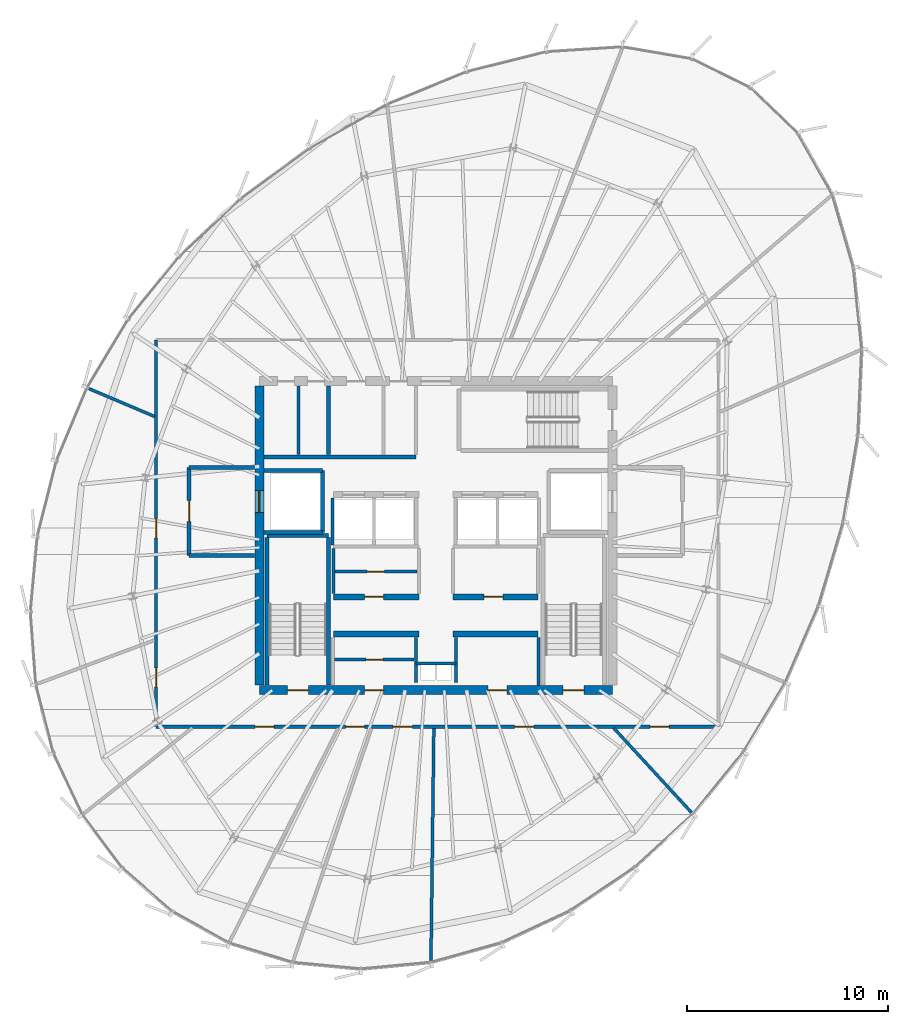
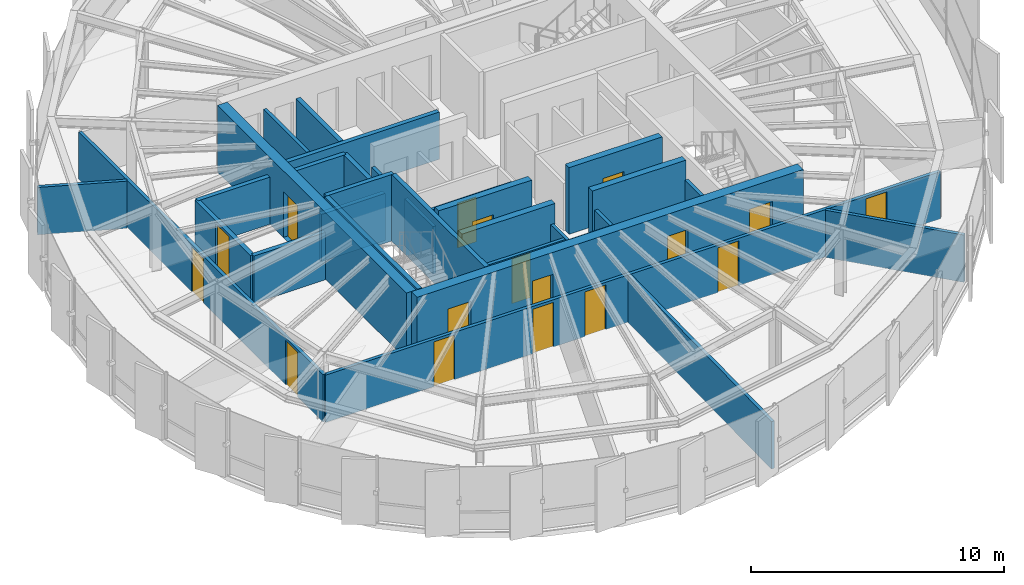
# One storey, part 27 of 33: 31 walls, 17 doors, 17 openings.
"""IFC4 building model written with IfcOpenShell, lengths in metres."""

from ifc_helpers import new_model, si_unit, direction, frame, frame_2d, origin, place, context, subcontext, project, spatial, rectangle, extrude, source, transform, mapped, material, layer, layer_set, type_object, element, fill, save


model = new_model("IFC4")

# Units and contexts
model_context = context("Model", 3, precision=1e-05, world=origin(), true_north=direction((0.0, 1.0)))
body_context = subcontext(model_context, "Body", "Model", "MODEL_VIEW")
ifc_project = project(units=[si_unit("LENGTHUNIT", "METRE"), si_unit("AREAUNIT", "SQUARE_METRE"), si_unit("VOLUMEUNIT", "CUBIC_METRE"), si_unit("PLANEANGLEUNIT", "RADIAN"), si_unit("MASSUNIT", "GRAM", prefix="KILO"), si_unit("THERMODYNAMICTEMPERATUREUNIT", "KELVIN")], contexts=[model_context])

# Site, building, storey
site_placement = place(None, origin())
site = spatial("IfcSite", under=ifc_project, at=site_placement, CompositionType="ELEMENT")
building_placement = place(site_placement, origin())
building = spatial("IfcBuilding", under=site, at=building_placement, Name="Kethvar Cultural Tower", CompositionType="ELEMENT")
storey_placement = place(building_placement, frame((0.0, 0.0, 256.0)))
storey = spatial("IfcBuildingStorey", under=building, at=storey_placement, Name="L67", CompositionType="ELEMENT", Elevation=256.0)

# Wall, openings, doors
ifc_material_1 = material(Name="Concrete C50/60", Category="concrete")
ifc_layer_1 = layer(ifc_material_1, 0.449951171875, Name="Concrete C50/60", Category="concrete")
ifc_layer_set_1 = layer_set([ifc_layer_1], Name="Concrete C50/60 (450 mm)")
wall_type_1 = type_object("IfcWallType", Name="WL-CORE-450", PredefinedType="SHEAR", material=ifc_layer_set_1)
wall_1_placement = place(storey_placement, frame((38.0, 20.10009765625, 0.0), z_axis=(0.0, 0.0, 1.0), x_axis=(1.0, 0.0, 0.0)))
wall_1 = element("IfcWall", 1, at=wall_1_placement, inside=storey, type_object=wall_type_1, Name="L67 Core Shear Wall S", PredefinedType="SHEAR", context=body_context, shape_type="SweptSolid", body=[
    extrude(rectangle(XDim=17.60009765625, YDim=0.449951171875, at=frame_2d((8.800048828125, 0.0))), origin(), (0.0, 0.0, 1.0), 3.2099609375),
])
opening_1_placement = place(wall_1_placement, frame((1.39990234375, 0.0, 0.0)))
opening_1 = element("IfcOpeningElement", 2, at=opening_1_placement, cuts=wall_1, Name="Opening D-L67-S1", PredefinedType="OPENING", context=body_context, shape_type="SweptSolid", body=[
    extrude(rectangle(XDim=1.050048828125, YDim=2.14990234375, at=frame_2d((0.52490234375, 1.074951171875))), frame((0.0, 0.23486328125, 0.0), z_axis=(0.0, -1.0, 0.0), x_axis=(1.0, 0.0, 0.0)), (0.0, 0.0, 1.0), 0.469970703125),
])
opening_2_placement = place(wall_1_placement, frame((15.14990234375, 0.0, 0.0)))
opening_2 = element("IfcOpeningElement", 3, at=opening_2_placement, cuts=wall_1, Name="Opening D-L67-ST2", PredefinedType="OPENING", context=body_context, shape_type="SweptSolid", body=[
    extrude(rectangle(XDim=1.050048828125, YDim=2.14990234375, at=frame_2d((0.52490234375, 1.074951171875))), frame((0.0, 0.23486328125, 0.0), z_axis=(0.0, -1.0, 0.0), x_axis=(1.0, 0.0, 0.0)), (0.0, 0.0, 1.0), 0.469970703125),
])
opening_3_placement = place(wall_1_placement, frame((5.25, 0.0, 0.0)))
opening_3 = element("IfcOpeningElement", 4, at=opening_3_placement, cuts=wall_1, Name="Opening D-L67-V1", PredefinedType="OPENING", context=body_context, shape_type="SweptSolid", body=[
    extrude(rectangle(XDim=0.949951171875, YDim=2.14990234375, at=frame_2d((0.47509765625, 1.074951171875))), frame((0.0, 0.23486328125, 0.0), z_axis=(0.0, -1.0, 0.0), x_axis=(1.0, 0.0, 0.0)), (0.0, 0.0, 1.0), 0.469970703125),
])
opening_4_placement = place(wall_1_placement, frame((11.39990234375, 0.0, 0.0)))
opening_4 = element("IfcOpeningElement", 5, at=opening_4_placement, cuts=wall_1, Name="Opening D-L67-V2", PredefinedType="OPENING", context=body_context, shape_type="SweptSolid", body=[
    extrude(rectangle(XDim=0.949951171875, YDim=2.14990234375, at=frame_2d((0.47509765625, 1.074951171875))), frame((0.0, 0.23486328125, 0.0), z_axis=(0.0, -1.0, 0.0), x_axis=(1.0, 0.0, 0.0)), (0.0, 0.0, 1.0), 0.469970703125),
])
ifc_material_2 = material(Name="Steel S355J2", Category="steel")
door_type_1 = type_object("IfcDoorType", Name="DR-FD60-1050", OperationType="NOTDEFINED", PredefinedType="DOOR", material=ifc_material_2)
shared_shape_1 = source(origin(), body_context, "Body", "SweptSolid", [
    extrude(rectangle(XDim=1.050048828125, YDim=2.14990234375, at=frame_2d((0.52490234375, 1.074951171875))), frame((0.0, 0.02490234375, 0.0), z_axis=(0.0, -1.0, 0.0), x_axis=(1.0, 0.0, 0.0)), (0.0, 0.0, 1.0), 0.050048828125),
])
door_1_placement = place(opening_1_placement, origin())
door_1 = element("IfcDoor", 6, at=door_1_placement, inside=storey, type_object=door_type_1, Name="L67 Exit Stair 1 Door", OperationType="SINGLE_SWING_LEFT", OverallHeight=2.14990234375, OverallWidth=1.050048828125, PredefinedType="DOOR", context=body_context, shape_type="MappedRepresentation", body=[
    mapped(shared_shape_1, transform((0.0, 0.0, 0.0), scale=1.0)),
])
fill(opening_1, door_1)
door_2_placement = place(opening_2_placement, origin())
door_2 = element("IfcDoor", 7, at=door_2_placement, inside=storey, type_object=door_type_1, Name="L67 Exit Stair 2 Door", OperationType="SINGLE_SWING_RIGHT", OverallHeight=2.14990234375, OverallWidth=1.050048828125, PredefinedType="DOOR", context=body_context, shape_type="MappedRepresentation", body=[
    mapped(shared_shape_1, transform((0.0, 0.0, 0.0), scale=1.0)),
])
fill(opening_2, door_2)
ifc_material_3 = material(Name="Architectural Oak Timber", Category="wood")
door_type_2 = type_object("IfcDoorType", Name="DR-FD30-950", OperationType="NOTDEFINED", PredefinedType="DOOR", material=ifc_material_3)
shared_shape_2 = source(origin(), body_context, "Body", "SweptSolid", [
    extrude(rectangle(XDim=0.949951171875, YDim=2.14990234375, at=frame_2d((0.47509765625, 1.074951171875))), frame((0.0, 0.02490234375, 0.0), z_axis=(0.0, -1.0, 0.0), x_axis=(1.0, 0.0, 0.0)), (0.0, 0.0, 1.0), 0.050048828125),
])
door_3_placement = place(opening_3_placement, origin())
door_3 = element("IfcDoor", 8, at=door_3_placement, inside=storey, type_object=door_type_2, Name="L67 Reclaimed West South Door", OperationType="SINGLE_SWING_LEFT", OverallHeight=2.14990234375, OverallWidth=0.949951171875, PredefinedType="DOOR", context=body_context, shape_type="MappedRepresentation", body=[
    mapped(shared_shape_2, transform((0.0, 0.0, 0.0), scale=1.0)),
])
fill(opening_3, door_3)
door_4_placement = place(opening_4_placement, origin())
door_4 = element("IfcDoor", 9, at=door_4_placement, inside=storey, type_object=door_type_2, Name="L67 Reclaimed East Server Door", OperationType="SINGLE_SWING_RIGHT", OverallHeight=2.14990234375, OverallWidth=0.949951171875, PredefinedType="DOOR", context=body_context, shape_type="MappedRepresentation", body=[
    mapped(shared_shape_2, transform((0.0, 0.0, 0.0), scale=1.0)),
])
fill(opening_4, door_4)

# Wall, opening, door
wall_2_placement = place(storey_placement, frame((38.0, 35.260009765625, 0.0), z_axis=(0.0, 0.0, 1.0), x_axis=(0.0, -1.0, 0.0)))
wall_2 = element("IfcWall", 10, at=wall_2_placement, inside=storey, type_object=wall_type_1, Name="L67 Core Shear Wall W", PredefinedType="SHEAR", context=body_context, shape_type="SweptSolid", body=[
    extrude(rectangle(XDim=14.919921875, YDim=0.449951171875, at=frame_2d((7.4599609375, 0.0))), origin(), (0.0, 0.0, 1.0), 3.2099609375),
])
opening_5_placement = place(wall_2_placement, frame((5.2099609375, 0.0, 0.0)))
opening_5 = element("IfcOpeningElement", 11, at=opening_5_placement, cuts=wall_2, Name="Opening LD-1", PredefinedType="OPENING", context=body_context, shape_type="SweptSolid", body=[
    extrude(rectangle(XDim=1.10009765625, YDim=2.199951171875, at=frame_2d((0.550048828125, 1.10009765625))), frame((0.0, 0.23486328125, 0.0), z_axis=(0.0, -1.0, 0.0), x_axis=(1.0, 0.0, 0.0)), (0.0, 0.0, 1.0), 0.469970703125),
])
door_type_3 = type_object("IfcDoorType", Name="DR-LIFT-SLIDE-1100", OperationType="NOTDEFINED", PredefinedType="DOOR", material=ifc_material_2)
shared_shape_3 = source(origin(), body_context, "Body", "SweptSolid", [
    extrude(rectangle(XDim=1.10009765625, YDim=2.199951171875, at=frame_2d((0.550048828125, 1.10009765625))), frame((0.0, 0.02490234375, 0.0), z_axis=(0.0, -1.0, 0.0), x_axis=(1.0, 0.0, 0.0)), (0.0, 0.0, 1.0), 0.050048828125),
])
door_5_placement = place(opening_5_placement, origin())
door_5 = element("IfcDoor", 12, at=door_5_placement, inside=storey, type_object=door_type_3, Name="L67 Firefighting Lift Landing Door FFL-01", OperationType="SLIDING_TO_LEFT", OverallHeight=2.199951171875, OverallWidth=1.10009765625, PredefinedType="DOOR", context=body_context, shape_type="MappedRepresentation", body=[
    mapped(shared_shape_3, transform((0.0, 0.0, 0.0), scale=1.0)),
])
fill(opening_5, door_5)

# Walls
ifc_material_4 = material(Name="Gypsum Fireboard Partition")
ifc_layer_2 = layer(ifc_material_4, 0.14990234375, Name="Gypsum Fireboard Partition")
ifc_layer_set_2 = layer_set([ifc_layer_2], Name="Gypsum Fireboard Partition (150 mm)")
wall_type_2 = type_object("IfcWallType", Name="WL-FIRE-150", PredefinedType="PARTITIONING", material=ifc_layer_set_2)
wall_3_placement = place(storey_placement, frame((45.800048828125, 21.419921875, 0.0), z_axis=(0.0, 0.0, 1.0), x_axis=(1.0, 0.0, 0.0)))
element("IfcWall", 13, at=wall_3_placement, inside=storey, type_object=wall_type_2, Name="L67 Core Riser Wall", PredefinedType="PARTITIONING", context=body_context, shape_type="SweptSolid", body=[
    extrude(rectangle(XDim=2.0, YDim=0.14990234375, at=frame_2d((1.0, 0.0))), origin(), (0.0, 0.0, 1.0), 2.280029296875),
])
for number, where, z_axis, x_axis, name in (
    (14, (45.800048828125, 20.47998046875, 0.0), (0.0, 0.0, 1.0), (0.0, 1.0, 0.0), "L67 Core Riser West Wall"),
    (15, (47.800048828125, 20.47998046875, 0.0), (0.0, 0.0, 1.0), (0.0, 1.0, 0.0), "L67 Core Riser East Wall"),
):
    element("IfcWall", number, at=place(storey_placement, frame(where, z_axis=z_axis, x_axis=x_axis)), inside=storey, type_object=wall_type_2, Name=name, PredefinedType="PARTITIONING", context=body_context, shape_type="SweptSolid", body=[
        extrude(rectangle(XDim=2.239990234375, YDim=0.14990234375, at=frame_2d((1.1201171875, 0.0))), origin(), (0.0, 0.0, 1.0), 2.280029296875),
    ])
wall_4_placement = place(storey_placement, frame((51.919921875, 20.3349609375, 0.0), z_axis=(0.0, 0.0, 1.0), x_axis=(0.0, 1.0, 0.0)))
element("IfcWall", 16, at=wall_4_placement, inside=storey, type_object=wall_type_2, Name="L67 Reclaimed East Outer Wall", PredefinedType="PARTITIONING", context=body_context, shape_type="SweptSolid", body=[
    extrude(rectangle(XDim=2.39501953125, YDim=0.14990234375, at=frame_2d((1.197509765625, 0.0))), origin(), (0.0, 0.0, 1.0), 2.280029296875),
])

# Wall, opening, door
wall_5_placement = place(storey_placement, frame((41.760009765625, 21.6201171875, 0.0), z_axis=(0.0, 0.0, 1.0), x_axis=(1.0, 0.0, 0.0)))
wall_5 = element("IfcWall", 17, at=wall_5_placement, inside=storey, type_object=wall_type_2, Name="L67 Vault Gallery Wall W", PredefinedType="PARTITIONING", context=body_context, shape_type="SweptSolid", body=[
    extrude(rectangle(XDim=3.9599609375, YDim=0.14990234375, at=frame_2d((1.97998046875, 0.0))), origin(), (0.0, 0.0, 1.0), 2.280029296875),
])
opening_6_placement = place(wall_5_placement, frame((1.550048828125, 0.0, 0.0)))
opening_6 = element("IfcOpeningElement", 18, at=opening_6_placement, cuts=wall_5, Name="Opening D-L67-V3", PredefinedType="OPENING", context=body_context, shape_type="SweptSolid", body=[
    extrude(rectangle(XDim=0.85009765625, YDim=2.14990234375, at=frame_2d((0.425048828125, 1.074951171875))), frame((0.0, 0.0849609375, 0.0), z_axis=(0.0, -1.0, 0.0), x_axis=(1.0, 0.0, 0.0)), (0.0, 0.0, 1.0), 0.169921875),
])
door_type_4 = type_object("IfcDoorType", Name="DR-FD30-850", OperationType="NOTDEFINED", PredefinedType="DOOR", material=ifc_material_2)
shared_shape_4 = source(origin(), body_context, "Body", "SweptSolid", [
    extrude(rectangle(XDim=0.85009765625, YDim=2.14990234375, at=frame_2d((0.425048828125, 1.074951171875))), frame((0.0, 0.02490234375, 0.0), z_axis=(0.0, -1.0, 0.0), x_axis=(1.0, 0.0, 0.0)), (0.0, 0.0, 1.0), 0.050048828125),
])
door_6_placement = place(opening_6_placement, origin())
door_6 = element("IfcDoor", 19, at=door_6_placement, inside=storey, type_object=door_type_4, Name="L67 Inner Vault Gallery Door", OperationType="SINGLE_SWING_LEFT", OverallHeight=2.14990234375, OverallWidth=0.85009765625, PredefinedType="DOOR", context=body_context, shape_type="MappedRepresentation", body=[
    mapped(shared_shape_4, transform((0.0, 0.0, 0.0), scale=1.0)),
])
fill(opening_6, door_6)

# Wall
wall_6_placement = place(storey_placement, frame((41.699951171875, 24.919921875, 0.0), z_axis=(0.0, 0.0, 1.0), x_axis=(0.0, 1.0, 0.0)))
element("IfcWall", 20, at=wall_6_placement, inside=storey, type_object=wall_type_2, Name="L67 Reclaimed Mid Outer W", PredefinedType="PARTITIONING", context=body_context, shape_type="SweptSolid", body=[
    extrude(rectangle(XDim=2.239990234375, YDim=0.14990234375, at=frame_2d((1.1201171875, 0.0))), origin(), (0.0, 0.0, 1.0), 2.280029296875),
])

# Wall, opening, door
wall_7_placement = place(storey_placement, frame((41.780029296875, 26.010009765625, 0.0), z_axis=(0.0, 0.0, 1.0), x_axis=(1.0, 0.0, 0.0)))
wall_7 = element("IfcWall", 21, at=wall_7_placement, inside=storey, type_object=wall_type_2, Name="L67 Mid Gallery Wall W", PredefinedType="PARTITIONING", context=body_context, shape_type="SweptSolid", body=[
    extrude(rectangle(XDim=4.090087890625, YDim=0.14990234375, at=frame_2d((2.044921875, 0.0))), origin(), (0.0, 0.0, 1.0), 2.280029296875),
])
opening_7_placement = place(wall_7_placement, frame((1.60009765625, 0.0, 0.0)))
opening_7 = element("IfcOpeningElement", 22, at=opening_7_placement, cuts=wall_7, Name="Opening D-L67-M3", PredefinedType="OPENING", context=body_context, shape_type="SweptSolid", body=[
    extrude(rectangle(XDim=0.85009765625, YDim=2.14990234375, at=frame_2d((0.425048828125, 1.074951171875))), frame((0.0, 0.0849609375, 0.0), z_axis=(0.0, -1.0, 0.0), x_axis=(1.0, 0.0, 0.0)), (0.0, 0.0, 1.0), 0.169921875),
])
door_7_placement = place(opening_7_placement, origin())
door_7 = element("IfcDoor", 23, at=door_7_placement, inside=storey, type_object=door_type_4, Name="L67 Fibre Inner Door", OperationType="SINGLE_SWING_LEFT", OverallHeight=2.14990234375, OverallWidth=0.85009765625, PredefinedType="DOOR", context=body_context, shape_type="MappedRepresentation", body=[
    mapped(shared_shape_4, transform((0.0, 0.0, 0.0), scale=1.0)),
])
fill(opening_7, door_7)

# Walls
wall_8_placement = place(storey_placement, frame((41.64990234375, 27.340087890625, 0.0), z_axis=(0.0, 0.0, 1.0), x_axis=(0.0, 1.0, 0.0)))
element("IfcWall", 24, at=wall_8_placement, inside=storey, type_object=wall_type_2, Name="L67 High-Rise Lift Shaft Outer Wall W", PredefinedType="PARTITIONING", context=body_context, shape_type="SweptSolid", body=[
    extrude(rectangle(XDim=2.33984375, YDim=0.14990234375, at=frame_2d((1.169921875, 0.0))), origin(), (0.0, 0.0, 1.0), 2.280029296875),
])
wall_9_placement = place(storey_placement, frame((39.949951171875, 31.85009765625, 0.0), z_axis=(0.0, 0.0, 1.0), x_axis=(0.0, 1.0, 0.0)))
element("IfcWall", 25, at=wall_9_placement, inside=storey, type_object=wall_type_2, Name="L67 NW Riser Divider", PredefinedType="PARTITIONING", context=body_context, shape_type="SweptSolid", body=[
    extrude(rectangle(XDim=3.414794921875, YDim=0.14990234375, at=frame_2d((1.70751953125, 0.0))), origin(), (0.0, 0.0, 1.0), 2.280029296875),
])

# Wall, openings, doors
wall_10_placement = place(storey_placement, frame((32.85009765625, 18.26904296875, 0.0), z_axis=(0.0, 0.0, 1.0), x_axis=(1.0, 0.0, 0.0)))
wall_10 = element("IfcWall", 26, at=wall_10_placement, inside=storey, type_object=wall_type_2, Name="L67 Corridor Rated Wall S", PredefinedType="PARTITIONING", context=body_context, shape_type="SweptSolid", body=[
    extrude(rectangle(XDim=28.037841796875, YDim=0.14990234375, at=frame_2d((14.01904296875, 0.0))), origin(), (0.0, 0.0, 1.0), 2.280029296875),
])
opening_8_placement = place(wall_10_placement, frame((4.936767578125, 0.0, 0.0)))
opening_8 = element("IfcOpeningElement", 27, at=opening_8_placement, cuts=wall_10, Name="Opening D-L67-02", PredefinedType="OPENING", context=body_context, shape_type="SweptSolid", body=[
    extrude(rectangle(XDim=0.949951171875, YDim=2.14990234375, at=frame_2d((0.47509765625, 1.074951171875))), frame((0.0, 0.0849609375, 0.0), z_axis=(0.0, -1.0, 0.0), x_axis=(1.0, 0.0, 0.0)), (0.0, 0.0, 1.0), 0.169921875),
])
opening_9_placement = place(wall_10_placement, frame((9.44970703125, 0.0, 0.0)))
opening_9 = element("IfcOpeningElement", 28, at=opening_9_placement, cuts=wall_10, Name="Opening D-L67-03", PredefinedType="OPENING", context=body_context, shape_type="SweptSolid", body=[
    extrude(rectangle(XDim=0.949951171875, YDim=2.14990234375, at=frame_2d((0.47509765625, 1.074951171875))), frame((0.0, 0.0849609375, 0.0), z_axis=(0.0, -1.0, 0.0), x_axis=(1.0, 0.0, 0.0)), (0.0, 0.0, 1.0), 0.169921875),
])
opening_10_placement = place(wall_10_placement, frame((11.826171875, 0.0, 0.0)))
opening_10 = element("IfcOpeningElement", 29, at=opening_10_placement, cuts=wall_10, Name="Opening D-L67-04", PredefinedType="OPENING", context=body_context, shape_type="SweptSolid", body=[
    extrude(rectangle(XDim=0.949951171875, YDim=2.14990234375, at=frame_2d((0.47509765625, 1.074951171875))), frame((0.0, 0.0849609375, 0.0), z_axis=(0.0, -1.0, 0.0), x_axis=(1.0, 0.0, 0.0)), (0.0, 0.0, 1.0), 0.169921875),
])
opening_11_placement = place(wall_10_placement, frame((17.884521484375, 0.0, 0.0)))
opening_11 = element("IfcOpeningElement", 30, at=opening_11_placement, cuts=wall_10, Name="Opening D-L67-05", PredefinedType="OPENING", context=body_context, shape_type="SweptSolid", body=[
    extrude(rectangle(XDim=0.949951171875, YDim=2.14990234375, at=frame_2d((0.47509765625, 1.074951171875))), frame((0.0, 0.0849609375, 0.0), z_axis=(0.0, -1.0, 0.0), x_axis=(1.0, 0.0, 0.0)), (0.0, 0.0, 1.0), 0.169921875),
])
opening_12_placement = place(wall_10_placement, frame((24.635986328125, 0.0, 0.0)))
opening_12 = element("IfcOpeningElement", 31, at=opening_12_placement, cuts=wall_10, Name="Opening D-L67-06", PredefinedType="OPENING", context=body_context, shape_type="SweptSolid", body=[
    extrude(rectangle(XDim=0.949951171875, YDim=2.14990234375, at=frame_2d((0.47509765625, 1.074951171875))), frame((0.0, 0.0849609375, 0.0), z_axis=(0.0, -1.0, 0.0), x_axis=(1.0, 0.0, 0.0)), (0.0, 0.0, 1.0), 0.169921875),
])
door_8_placement = place(opening_8_placement, origin())
door_8 = element("IfcDoor", 32, at=door_8_placement, inside=storey, type_object=door_type_2, Name="L67 Art Monograph Boutique 02 Door", OperationType="SINGLE_SWING_LEFT", OverallHeight=2.14990234375, OverallWidth=0.949951171875, PredefinedType="DOOR", context=body_context, shape_type="MappedRepresentation", body=[
    mapped(shared_shape_2, transform((0.0, 0.0, 0.0), scale=1.0)),
])
fill(opening_8, door_8)
door_9_placement = place(opening_9_placement, origin())
door_9 = element("IfcDoor", 33, at=door_9_placement, inside=storey, type_object=door_type_2, Name="L67 Poster Edition Shop 03 Door", OperationType="SINGLE_SWING_RIGHT", OverallHeight=2.14990234375, OverallWidth=0.949951171875, PredefinedType="DOOR", context=body_context, shape_type="MappedRepresentation", body=[
    mapped(shared_shape_2, transform((0.0, 0.0, 0.0), scale=1.0)),
])
fill(opening_9, door_9)
door_10_placement = place(opening_10_placement, origin())
door_10 = element("IfcDoor", 34, at=door_10_placement, inside=storey, type_object=door_type_2, Name="L67 Periodicals Reading Lounge 04 Door", OperationType="SINGLE_SWING_LEFT", OverallHeight=2.14990234375, OverallWidth=0.949951171875, PredefinedType="DOOR", context=body_context, shape_type="MappedRepresentation", body=[
    mapped(shared_shape_2, transform((0.0, 0.0, 0.0), scale=1.0)),
])
fill(opening_10, door_10)
door_11_placement = place(opening_11_placement, origin())
door_11 = element("IfcDoor", 35, at=door_11_placement, inside=storey, type_object=door_type_2, Name="L67 Members' Dining Lounge 05 Door", OperationType="SINGLE_SWING_RIGHT", OverallHeight=2.14990234375, OverallWidth=0.949951171875, PredefinedType="DOOR", context=body_context, shape_type="MappedRepresentation", body=[
    mapped(shared_shape_2, transform((0.0, 0.0, 0.0), scale=1.0)),
])
fill(opening_11, door_11)
door_12_placement = place(opening_12_placement, origin())
door_12 = element("IfcDoor", 36, at=door_12_placement, inside=storey, type_object=door_type_2, Name="L67 Archival Mail Room 06 Door", OperationType="SINGLE_SWING_LEFT", OverallHeight=2.14990234375, OverallWidth=0.949951171875, PredefinedType="DOOR", context=body_context, shape_type="MappedRepresentation", body=[
    mapped(shared_shape_2, transform((0.0, 0.0, 0.0), scale=1.0)),
])
fill(opening_12, door_12)

wall_11_placement = place(storey_placement, frame((32.85009765625, 37.56201171875, 0.0), z_axis=(0.0, 0.0, 1.0), x_axis=(0.0, -1.0, 0.0)))
wall_11 = element("IfcWall", 37, at=wall_11_placement, inside=storey, type_object=wall_type_2, Name="L67 Corridor Rated Wall W", PredefinedType="PARTITIONING", context=body_context, shape_type="SweptSolid", body=[
    extrude(rectangle(XDim=19.29296875, YDim=0.14990234375, at=frame_2d((9.646484375, 0.0))), origin(), (0.0, 0.0, 1.0), 2.280029296875),
])
opening_13_placement = place(wall_11_placement, frame((16.353515625, 0.0, 0.0)))
opening_13 = element("IfcOpeningElement", 38, at=opening_13_placement, cuts=wall_11, Name="Opening D-L67-01", PredefinedType="OPENING", context=body_context, shape_type="SweptSolid", body=[
    extrude(rectangle(XDim=0.949951171875, YDim=2.14990234375, at=frame_2d((0.47509765625, 1.074951171875))), frame((0.0, 0.0849609375, 0.0), z_axis=(0.0, -1.0, 0.0), x_axis=(1.0, 0.0, 0.0)), (0.0, 0.0, 1.0), 0.169921875),
])
opening_14_placement = place(wall_11_placement, frame((8.919921875, 0.0, 0.0)))
opening_14 = element("IfcOpeningElement", 39, at=opening_14_placement, cuts=wall_11, Name="Opening D-L67-12", PredefinedType="OPENING", context=body_context, shape_type="SweptSolid", body=[
    extrude(rectangle(XDim=0.949951171875, YDim=2.14990234375, at=frame_2d((0.47509765625, 1.074951171875))), frame((0.0, 0.0849609375, 0.0), z_axis=(0.0, -1.0, 0.0), x_axis=(1.0, 0.0, 0.0)), (0.0, 0.0, 1.0), 0.169921875),
])
door_13_placement = place(opening_13_placement, origin())
door_13 = element("IfcDoor", 40, at=door_13_placement, inside=storey, type_object=door_type_2, Name="L67 Curatorial Administration Office 01 Door", OperationType="SINGLE_SWING_RIGHT", OverallHeight=2.14990234375, OverallWidth=0.949951171875, PredefinedType="DOOR", context=body_context, shape_type="MappedRepresentation", body=[
    mapped(shared_shape_2, transform((0.0, 0.0, 0.0), scale=1.0)),
])
fill(opening_13, door_13)
door_14_placement = place(opening_14_placement, origin())
door_14 = element("IfcDoor", 41, at=door_14_placement, inside=storey, type_object=door_type_2, Name="L67 Architecture Quiet Library 12 Door", OperationType="SINGLE_SWING_LEFT", OverallHeight=2.14990234375, OverallWidth=0.949951171875, PredefinedType="DOOR", context=body_context, shape_type="MappedRepresentation", body=[
    mapped(shared_shape_2, transform((0.0, 0.0, 0.0), scale=1.0)),
])
fill(opening_14, door_14)

# Walls
ifc_material_5 = material(Name="Concrete C40/50", Category="concrete")
ifc_layer_3 = layer(ifc_material_5, 0.199951171875, Name="Concrete C40/50", Category="concrete")
ifc_layer_set_3 = layer_set([ifc_layer_3], Name="Concrete C40/50 (200 mm)")
wall_type_3 = type_object("IfcWallType", Name="WL-FIRE-200", PredefinedType="PARTITIONING", material=ifc_layer_set_3)
wall_12_placement = place(storey_placement, frame((41.14990234375, 27.949951171875, 0.0), z_axis=(0.0, 0.0, 1.0), x_axis=(0.0, 1.0, 0.0)))
element("IfcWall", 42, at=wall_12_placement, inside=storey, type_object=wall_type_3, Name="L67 FFL-01 Shaft Inner Wall", PredefinedType="PARTITIONING", context=body_context, shape_type="SweptSolid", body=[
    extrude(rectangle(XDim=3.10009765625, YDim=0.199951171875, at=frame_2d((1.550048828125, 0.0))), origin(), (0.0, 0.0, 1.0), 2.280029296875),
])
for number, where, z_axis, x_axis, name in (
    (43, (38.235107421875, 27.949951171875, 0.0), (0.0, 0.0, 1.0), (1.0, 0.0, 0.0), "L67 FFL-01 Shaft South Wall"),
    (44, (38.235107421875, 31.050048828125, 0.0), (0.0, 0.0, 1.0), (1.0, 0.0, 0.0), "L67 FFL-01 Shaft North Wall"),
):
    element("IfcWall", number, at=place(storey_placement, frame(where, z_axis=z_axis, x_axis=x_axis)), inside=storey, type_object=wall_type_3, Name=name, PredefinedType="PARTITIONING", context=body_context, shape_type="SweptSolid", body=[
        extrude(rectangle(XDim=2.914794921875, YDim=0.199951171875, at=frame_2d((1.45751953125, 0.0))), origin(), (0.0, 0.0, 1.0), 2.280029296875),
    ])

# Wall, opening, door
wall_13_placement = place(storey_placement, frame((34.5, 31.199951171875, 0.0), z_axis=(0.0, 0.0, 1.0), x_axis=(0.0, -1.0, 0.0)))
wall_13 = element("IfcWall", 45, at=wall_13_placement, inside=storey, type_object=wall_type_3, Name="L67 Firefighting Lobby 1 Wall", PredefinedType="PARTITIONING", context=body_context, shape_type="SweptSolid", body=[
    extrude(rectangle(XDim=4.39990234375, YDim=0.199951171875, at=frame_2d((2.199951171875, 0.0))), origin(), (0.0, 0.0, 1.0), 2.280029296875),
])
opening_15_placement = place(wall_13_placement, frame((1.64990234375, 0.0, 0.0)))
opening_15 = element("IfcOpeningElement", 46, at=opening_15_placement, cuts=wall_13, Name="Opening D-L67-F1", PredefinedType="OPENING", context=body_context, shape_type="SweptSolid", body=[
    extrude(rectangle(XDim=1.050048828125, YDim=2.14990234375, at=frame_2d((0.52490234375, 1.074951171875))), frame((0.0, 0.10986328125, 0.0), z_axis=(0.0, -1.0, 0.0), x_axis=(1.0, 0.0, 0.0)), (0.0, 0.0, 1.0), 0.219970703125),
])
door_15_placement = place(opening_15_placement, origin())
door_15 = element("IfcDoor", 47, at=door_15_placement, inside=storey, type_object=door_type_1, Name="L67 Firefighting Lobby 1 Fire Door", OperationType="SINGLE_SWING_LEFT", OverallHeight=2.14990234375, OverallWidth=1.050048828125, PredefinedType="DOOR", context=body_context, shape_type="MappedRepresentation", body=[
    mapped(shared_shape_1, transform((0.0, 0.0, 0.0), scale=1.0)),
])
fill(opening_15, door_15)

# Walls
for number, where, z_axis, x_axis, name in (
    (48, (34.5, 26.800048828125, 0.0), (0.0, 0.0, 1.0), (1.0, 0.0, 0.0), "L67 FF Lobby 1 South Wall"),
    (49, (34.5, 31.199951171875, 0.0), (0.0, 0.0, 1.0), (1.0, 0.0, 0.0), "L67 FF Lobby 1 North Wall"),
):
    element("IfcWall", number, at=place(storey_placement, frame(where, z_axis=z_axis, x_axis=x_axis)), inside=storey, type_object=wall_type_3, Name=name, PredefinedType="PARTITIONING", context=body_context, shape_type="SweptSolid", body=[
        extrude(rectangle(XDim=3.264892578125, YDim=0.199951171875, at=frame_2d((1.63232421875, 0.0))), origin(), (0.0, 0.0, 1.0), 2.280029296875),
    ])
wall_14_placement = place(storey_placement, frame((41.449951171875, 31.85009765625, 0.0), z_axis=(0.0, 0.0, 1.0), x_axis=(0.0, 1.0, 0.0)))
element("IfcWall", 50, at=wall_14_placement, inside=storey, type_object=wall_type_3, Name="L67 NW Core Pocket Wall", PredefinedType="PARTITIONING", context=body_context, shape_type="SweptSolid", body=[
    extrude(rectangle(XDim=3.414794921875, YDim=0.199951171875, at=frame_2d((1.70751953125, 0.0))), origin(), (0.0, 0.0, 1.0), 2.280029296875),
])
wall_15_placement = place(storey_placement, frame((38.235107421875, 31.72998046875, 0.0), z_axis=(0.0, 0.0, 1.0), x_axis=(1.0, 0.0, 0.0)))
element("IfcWall", 51, at=wall_15_placement, inside=storey, type_object=wall_type_3, Name="L67 North Core Sanitary South Wall", PredefinedType="PARTITIONING", context=body_context, shape_type="SweptSolid", body=[
    extrude(rectangle(XDim=7.56494140625, YDim=0.199951171875, at=frame_2d((3.782470703125, 0.0))), origin(), (0.0, 0.0, 1.0), 2.280029296875),
])
ifc_material_6 = material(Name="Gypsum Acoustic Partition")
ifc_layer_4 = layer(ifc_material_6, 0.14990234375, Name="Gypsum Acoustic Partition")
ifc_layer_set_4 = layer_set([ifc_layer_4], Name="Gypsum Acoustic Partition (150 mm)")
wall_type_4 = type_object("IfcWallType", Name="WL-PART-150", PredefinedType="PARTITIONING", material=ifc_layer_set_4)
wall_16_placement = place(storey_placement, frame((46.702880859375, 18.18896484375, 0.0), z_axis=(0.0, 0.0, 1.0), x_axis=(-0.01242546319, -0.999922800952, 0.0)))
element("IfcWall", 52, at=wall_16_placement, inside=storey, type_object=wall_type_4, Name="L67 Radial Partition Wall 05", PredefinedType="PARTITIONING", context=body_context, shape_type="SweptSolid", body=[
    extrude(rectangle(XDim=11.572998046875, YDim=0.14990234375, at=frame_2d((5.78662109375, 0.0))), origin(), (0.0, 0.0, 1.0), 2.280029296875),
])
wall_17_placement = place(storey_placement, frame((55.66796875, 18.210205078125, 0.0), z_axis=(0.0, 0.0, 1.0), x_axis=(0.677205136049, -0.735794267243, 0.0)))
element("IfcWall", 53, at=wall_17_placement, inside=storey, type_object=wall_type_4, Name="L67 Radial Partition Wall 06", PredefinedType="PARTITIONING", context=body_context, shape_type="SweptSolid", body=[
    extrude(rectangle(XDim=5.729736328125, YDim=0.14990234375, at=frame_2d((2.86474609375, 0.0))), origin(), (0.0, 0.0, 1.0), 2.280029296875),
])
wall_18_placement = place(storey_placement, frame((32.7763671875, 33.741455078125, 0.0), z_axis=(0.0, 0.0, 1.0), x_axis=(-0.920716223147, 0.390232797743, 0.0)))
element("IfcWall", 54, at=wall_18_placement, inside=storey, type_object=wall_type_4, Name="L67 Radial Partition Wall 12", PredefinedType="PARTITIONING", context=body_context, shape_type="SweptSolid", body=[
    extrude(rectangle(XDim=3.559814453125, YDim=0.14990234375, at=frame_2d((1.77978515625, 0.0))), origin(), (0.0, 0.0, 1.0), 2.280029296875),
])
ifc_layer_5 = layer(ifc_material_1, 0.300048828125, Name="Concrete C50/60", Category="concrete")
ifc_layer_set_5 = layer_set([ifc_layer_5], Name="Concrete C50/60 (300 mm)")
wall_type_5 = type_object("IfcWallType", Name="WL-SHAFT-300", PredefinedType="SHEAR", material=ifc_layer_set_5)
for number, where, z_axis, x_axis, name in (
    (55, (41.699951171875, 22.89990234375, 0.0), (0.0, 0.0, 1.0), (1.0, 0.0, 0.0), "L67 Core Lift Spine Wall MID1W"),
    (56, (47.64990234375, 22.89990234375, 0.0), (0.0, 0.0, 1.0), (1.0, 0.0, 0.0), "L67 Core Lift Spine Wall MID1E"),
):
    element("IfcWall", number, at=place(storey_placement, frame(where, z_axis=z_axis, x_axis=x_axis)), inside=storey, type_object=wall_type_5, Name=name, PredefinedType="SHEAR", context=body_context, shape_type="SweptSolid", body=[
        extrude(rectangle(XDim=4.25, YDim=0.300048828125, at=frame_2d((2.125, 0.0))), origin(), (0.0, 0.0, 1.0), 3.2099609375),
    ])

# Wall, opening, door
wall_19_placement = place(storey_placement, frame((41.699951171875, 24.75, 0.0), z_axis=(0.0, 0.0, 1.0), x_axis=(1.0, 0.0, 0.0)))
wall_19 = element("IfcWall", 57, at=wall_19_placement, inside=storey, type_object=wall_type_5, Name="L67 Core Lift Spine Wall MID2W", PredefinedType="SHEAR", context=body_context, shape_type="SweptSolid", body=[
    extrude(rectangle(XDim=4.25, YDim=0.300048828125, at=frame_2d((2.125, 0.0))), origin(), (0.0, 0.0, 1.0), 3.2099609375),
])
opening_16_placement = place(wall_19_placement, frame((1.550048828125, 0.0, 0.0)))
opening_16 = element("IfcOpeningElement", 58, at=opening_16_placement, cuts=wall_19, Name="Opening D-L67-M1", PredefinedType="OPENING", context=body_context, shape_type="SweptSolid", body=[
    extrude(rectangle(XDim=0.949951171875, YDim=2.14990234375, at=frame_2d((0.47509765625, 1.074951171875))), frame((0.0, 0.159912109375, 0.0), z_axis=(0.0, -1.0, 0.0), x_axis=(1.0, 0.0, 0.0)), (0.0, 0.0, 1.0), 0.320068359375),
])
door_16_placement = place(opening_16_placement, origin())
door_16 = element("IfcDoor", 59, at=door_16_placement, inside=storey, type_object=door_type_2, Name="L67 Fibre Patch Door", OperationType="SINGLE_SWING_LEFT", OverallHeight=2.14990234375, OverallWidth=0.949951171875, PredefinedType="DOOR", context=body_context, shape_type="MappedRepresentation", body=[
    mapped(shared_shape_2, transform((0.0, 0.0, 0.0), scale=1.0)),
])
fill(opening_16, door_16)

wall_20_placement = place(storey_placement, frame((47.64990234375, 24.75, 0.0), z_axis=(0.0, 0.0, 1.0), x_axis=(1.0, 0.0, 0.0)))
wall_20 = element("IfcWall", 60, at=wall_20_placement, inside=storey, type_object=wall_type_5, Name="L67 Core Lift Spine Wall MID2E", PredefinedType="SHEAR", context=body_context, shape_type="SweptSolid", body=[
    extrude(rectangle(XDim=4.25, YDim=0.300048828125, at=frame_2d((2.125, 0.0))), origin(), (0.0, 0.0, 1.0), 3.2099609375),
])
opening_17_placement = place(wall_20_placement, frame((1.550048828125, 0.0, 0.0)))
opening_17 = element("IfcOpeningElement", 61, at=opening_17_placement, cuts=wall_20, Name="Opening D-L67-M2", PredefinedType="OPENING", context=body_context, shape_type="SweptSolid", body=[
    extrude(rectangle(XDim=0.949951171875, YDim=2.14990234375, at=frame_2d((0.47509765625, 1.074951171875))), frame((0.0, 0.159912109375, 0.0), z_axis=(0.0, -1.0, 0.0), x_axis=(1.0, 0.0, 0.0)), (0.0, 0.0, 1.0), 0.320068359375),
])
door_17_placement = place(opening_17_placement, origin())
door_17 = element("IfcDoor", 62, at=door_17_placement, inside=storey, type_object=door_type_2, Name="L67 Sky Archive Annex Door", OperationType="SINGLE_SWING_RIGHT", OverallHeight=2.14990234375, OverallWidth=0.949951171875, PredefinedType="DOOR", context=body_context, shape_type="MappedRepresentation", body=[
    mapped(shared_shape_2, transform((0.0, 0.0, 0.0), scale=1.0)),
])
fill(opening_17, door_17)

# Walls
ifc_layer_6 = layer(ifc_material_1, 0.199951171875, Name="Concrete C50/60", Category="concrete")
ifc_layer_set_6 = layer_set([ifc_layer_6], Name="Concrete C50/60 (200 mm)")
wall_type_6 = type_object("IfcWallType", Name="WL-STSHAFT-200", PredefinedType="SHEAR", material=ifc_layer_set_6)
wall_21_placement = place(storey_placement, frame((38.389892578125, 27.800048828125, 0.0), z_axis=(0.0, 0.0, 1.0), x_axis=(1.0, 0.0, 0.0)))
element("IfcWall", 63, at=wall_21_placement, inside=storey, type_object=wall_type_6, Name="L67 ST-01 Stair Shaft Wall FAR", PredefinedType="SHEAR", context=body_context, shape_type="SweptSolid", body=[
    extrude(rectangle(XDim=3.06005859375, YDim=0.199951171875, at=frame_2d((1.530029296875, 0.0))), origin(), (0.0, 0.0, 1.0), 3.2099609375),
])
for number, where, z_axis, x_axis, name in (
    (64, (41.449951171875, 27.699951171875, 0.0), (0.0, 0.0, 1.0), (0.0, -1.0, 0.0), "L67 ST-01 Stair Shaft Wall LEFT"),
    (65, (38.389892578125, 20.35009765625, 0.0), (0.0, 0.0, 1.0), (0.0, 1.0, 0.0), "L67 ST-01 Stair Shaft Wall RIGHT"),
):
    element("IfcWall", number, at=place(storey_placement, frame(where, z_axis=z_axis, x_axis=x_axis)), inside=storey, type_object=wall_type_6, Name=name, PredefinedType="SHEAR", context=body_context, shape_type="SweptSolid", body=[
        extrude(rectangle(XDim=7.349853515625, YDim=0.199951171875, at=frame_2d((3.6748046875, 0.0))), origin(), (0.0, 0.0, 1.0), 3.2099609375),
    ])

save(model, "model.ifc")
